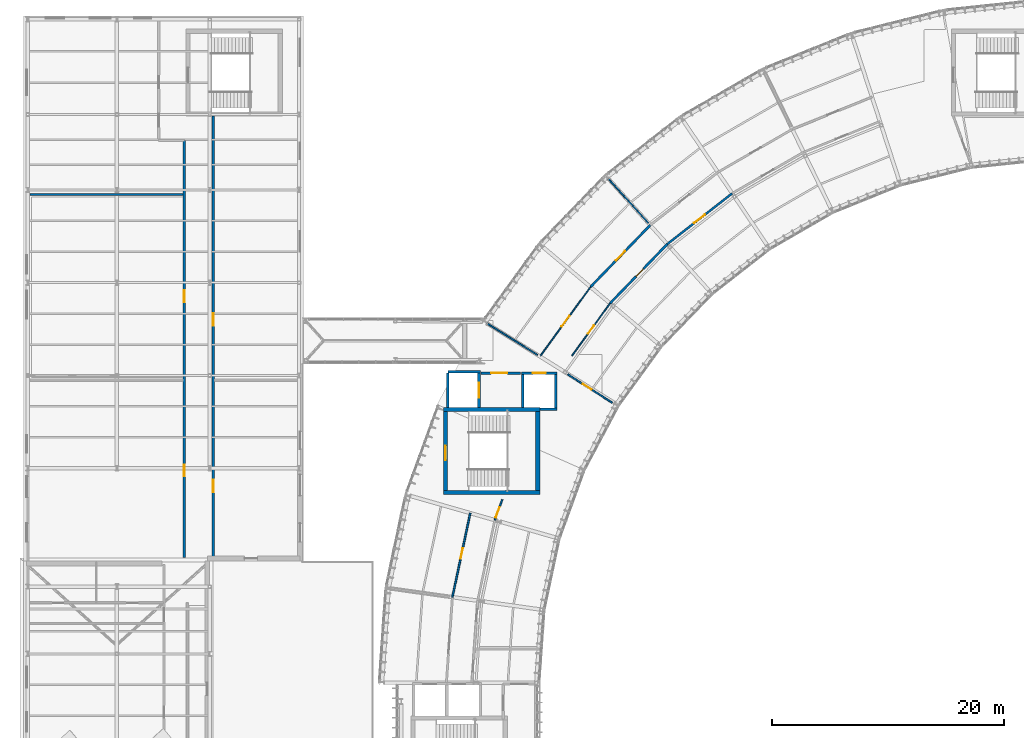
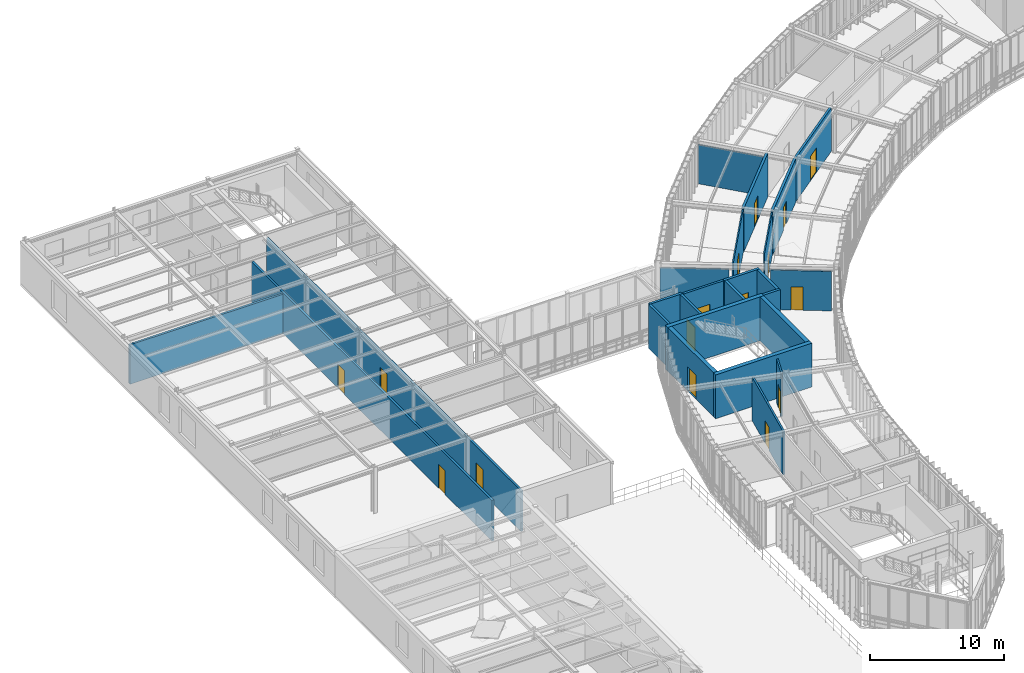
# One storey, part 40 of 52: 25 walls, 16 doors, 16 openings.
"""IFC4 building model written with IfcOpenShell, lengths in metres."""

from ifc_helpers import new_model, si_unit, direction, frame, frame_2d, origin, place, context, subcontext, project, spatial, rectangle, extrude, material, layer, layer_set, type_object, element, fill, save


model = new_model("IFC4")

# Units and contexts
model_context = context("Model", 3, precision=1e-05, world=origin(), true_north=direction((0.0, 1.0)))
body_context = subcontext(model_context, "Body", "Model", "MODEL_VIEW")
ifc_project = project(units=[si_unit("LENGTHUNIT", "METRE"), si_unit("AREAUNIT", "SQUARE_METRE"), si_unit("VOLUMEUNIT", "CUBIC_METRE"), si_unit("PLANEANGLEUNIT", "RADIAN"), si_unit("MASSUNIT", "GRAM", prefix="KILO"), si_unit("THERMODYNAMICTEMPERATUREUNIT", "KELVIN"), si_unit("POWERUNIT", "WATT")], contexts=[model_context])

# Site, building, storey
site_placement = place(None, origin())
site = spatial("IfcSite", under=ifc_project, at=site_placement, CompositionType="ELEMENT")
building_placement = place(site_placement, origin())
building = spatial("IfcBuilding", under=site, at=building_placement, Name="Solvatero Civic Police Headquarters", CompositionType="ELEMENT")
storey_placement = place(building_placement, frame((0.0, 0.0, 13.5)))
storey = spatial("IfcBuildingStorey", under=building, at=storey_placement, Name="L03", CompositionType="ELEMENT", Elevation=13.5)

# Wall, opening, door
ifc_material_1 = material(Name="Gypsum Acoustic Stud", Category="gypsum")
ifc_layer_1 = layer(ifc_material_1, 0.10009765625)
ifc_layer_set_1 = layer_set([ifc_layer_1], Name="Gypsum Acoustic Stud")
wall_type_1 = type_object("IfcWallType", Name="WL-PTN-100", PredefinedType="PARTITIONING", material=ifc_layer_set_1)
wall_1_placement = place(storey_placement, frame((55.00830078125, 58.718017578125, 0.0), z_axis=(0.0, 0.0, 1.0), x_axis=(-0.587773920785, -0.809025227076, 0.0)))
wall_1 = element("IfcWall", 1, at=wall_1_placement, inside=storey, type_object=wall_type_1, Name="Interior Partition WLP-L03-ARC-CIN-B08", PredefinedType="PARTITIONING", context=body_context, shape_type="SweptSolid", body=[
    extrude(rectangle(XDim=5.58447265625, YDim=0.10009765625, at=frame_2d((2.792236328125, 0.0))), origin(), (0.0, 0.0, 1.0), 3.97998046875),
])
opening_1_placement = place(wall_1_placement, frame((2.344970703125, 0.0, 0.0)))
opening_1 = element("IfcOpeningElement", 2, at=opening_1_placement, cuts=wall_1, Name="Opening ID-02", PredefinedType="OPENING", context=body_context, shape_type="SweptSolid", body=[
    extrude(rectangle(XDim=0.89990234375, YDim=2.10009765625, at=frame_2d((0.449951171875, 1.050048828125))), frame((0.0, 0.06005859375, 0.0), z_axis=(0.0, -1.0, 0.0), x_axis=(1.0, 0.0, 0.0)), (0.0, 0.0, 1.0), 0.1201171875),
])
ifc_material_2 = material(Name="Acoustic Oak Timber Veneer", Category="wood")
door_type_1 = type_object("IfcDoorType", Name="DR-OFF-090x210", OperationType="NOTDEFINED", PredefinedType="DOOR", material=ifc_material_2)
door_1_placement = place(opening_1_placement, origin())
door_1 = element("IfcDoor", 3, at=door_1_placement, inside=storey, type_object=door_type_1, Name="Interior Door DR-L03-ARC-IN-B08", OperationType="SINGLE_SWING_LEFT", OverallHeight=2.10009765625, OverallWidth=0.89990234375, PredefinedType="DOOR", context=body_context, shape_type="SweptSolid", body=[
    extrude(rectangle(XDim=0.89990234375, YDim=2.10009765625, at=frame_2d((0.449951171875, 1.050048828125))), frame((0.0, 0.02490234375, 0.0), z_axis=(0.0, -1.0, 0.0), x_axis=(1.0, 0.0, 0.0)), (0.0, 0.0, 1.0), 0.050048828125),
])
fill(opening_1, door_1)

wall_2_placement = place(storey_placement, frame((53.322998046875, 60.132080078125, 0.0), z_axis=(0.0, 0.0, 1.0), x_axis=(-0.587773694682, -0.809025391344, 0.0)))
wall_2 = element("IfcWall", 4, at=wall_2_placement, inside=storey, type_object=wall_type_1, Name="Interior Partition WLP-L03-ARC-COUT-B08", PredefinedType="PARTITIONING", context=body_context, shape_type="SweptSolid", body=[
    extrude(rectangle(XDim=7.33251953125, YDim=0.10009765625, at=frame_2d((3.666259765625, 0.0))), origin(), (0.0, 0.0, 1.0), 3.97998046875),
])
opening_2_placement = place(wall_2_placement, frame((3.080078125, 0.0, 0.0)))
opening_2 = element("IfcOpeningElement", 5, at=opening_2_placement, cuts=wall_2, Name="Opening ID-10", PredefinedType="OPENING", context=body_context, shape_type="SweptSolid", body=[
    extrude(rectangle(XDim=1.14990234375, YDim=2.199951171875, at=frame_2d((0.574951171875, 1.10009765625))), frame((0.0, 0.06005859375, 0.0), z_axis=(0.0, -1.0, 0.0), x_axis=(1.0, 0.0, 0.0)), (0.0, 0.0, 1.0), 0.1201171875),
])
ifc_material_3 = material(Name="Powder-Coated Steel", Category="steel")
door_type_2 = type_object("IfcDoorType", Name="DR-COR-115x220", OperationType="NOTDEFINED", PredefinedType="DOOR", material=ifc_material_3)
door_2_placement = place(opening_2_placement, origin())
door_2 = element("IfcDoor", 6, at=door_2_placement, inside=storey, type_object=door_type_2, Name="Interior Door DR-L03-ARC-OUT-B08", OperationType="SINGLE_SWING_RIGHT", OverallHeight=2.199951171875, OverallWidth=1.14990234375, PredefinedType="DOOR", context=body_context, shape_type="SweptSolid", body=[
    extrude(rectangle(XDim=1.14990234375, YDim=2.199951171875, at=frame_2d((0.574951171875, 1.10009765625))), frame((0.0, 0.02490234375, 0.0), z_axis=(0.0, -1.0, 0.0), x_axis=(1.0, 0.0, 0.0)), (0.0, 0.0, 1.0), 0.050048828125),
])
fill(opening_2, door_2)

# Walls
ifc_layer_2 = layer(ifc_material_1, 0.1201171875)
ifc_layer_set_2 = layer_set([ifc_layer_2], Name="Gypsum Acoustic Stud")
wall_type_2 = type_object("IfcWallType", Name="WL-PTN-120", PredefinedType="PARTITIONING", material=ifc_layer_set_2)
wall_3_placement = place(storey_placement, frame((58.302001953125, 65.646728515625, 0.0), z_axis=(0.0, 0.0, 1.0), x_axis=(-0.669114002905, 0.743159774959, 0.0)))
element("IfcWall", 7, at=wall_3_placement, inside=storey, type_object=wall_type_2, Name="Interior Partition WLP-L03-ARC-RAD-B06", PredefinedType="PARTITIONING", context=body_context, shape_type="SweptSolid", body=[
    extrude(rectangle(XDim=5.150146484375, YDim=0.1201171875, at=frame_2d((2.5751953125, 0.0))), origin(), (0.0, 0.0, 1.0), 3.550048828125),
])
wall_4_placement = place(storey_placement, frame((48.756591796875, 54.271240234375, 0.0), z_axis=(0.0, 0.0, 1.0), x_axis=(-0.848054228257, 0.529909450694, 0.0)))
element("IfcWall", 8, at=wall_4_placement, inside=storey, type_object=wall_type_2, Name="Interior Partition WLP-L03-ARC-RAD-B08", PredefinedType="PARTITIONING", context=body_context, shape_type="SweptSolid", body=[
    extrude(rectangle(XDim=5.14990234375, YDim=0.1201171875, at=frame_2d((2.574951171875, 0.0))), origin(), (0.0, 0.0, 1.0), 3.550048828125),
])

# Wall, opening, door
ifc_material_4 = material(Name="Gypsum Double-Stud", Category="gypsum")
ifc_layer_3 = layer(ifc_material_4, 0.135009765625)
ifc_layer_set_3 = layer_set([ifc_layer_3], Name="Gypsum Double-Stud")
wall_type_3 = type_object("IfcWallType", Name="WL-PTN-135", PredefinedType="PARTITIONING", material=ifc_layer_set_3)
wall_5_placement = place(storey_placement, frame((51.35009765625, 52.60009765625, 0.0), z_axis=(0.0, 0.0, 1.0), x_axis=(0.84363284859, -0.536920493909, 0.0)))
wall_5 = element("IfcWall", 9, at=wall_5_placement, inside=storey, type_object=wall_type_3, Name="Interior Partition WLP-L03-ARC-CIN-B09C", PredefinedType="PARTITIONING", context=body_context, shape_type="SweptSolid", body=[
    extrude(rectangle(XDim=4.5634765625, YDim=0.135009765625, at=frame_2d((2.28173828125, 0.0))), origin(), (0.0, 0.0, 1.0), 3.60009765625),
])
opening_3_placement = place(wall_5_placement, frame((1.550048828125, 0.0, 0.0)))
opening_3 = element("IfcOpeningElement", 10, at=opening_3_placement, cuts=wall_5, Name="Opening ID-02", PredefinedType="OPENING", context=body_context, shape_type="SweptSolid", body=[
    extrude(rectangle(XDim=0.89990234375, YDim=2.10009765625, at=frame_2d((0.449951171875, 1.050048828125))), frame((0.0, 0.077392578125, 0.0), z_axis=(0.0, -1.0, 0.0), x_axis=(1.0, 0.0, 0.0)), (0.0, 0.0, 1.0), 0.155029296875),
])
door_3_placement = place(opening_3_placement, origin())
door_3 = element("IfcDoor", 11, at=door_3_placement, inside=storey, type_object=door_type_1, Name="Interior Door DR-L03-ARC-IN-B09", OperationType="SINGLE_SWING_RIGHT", OverallHeight=2.10009765625, OverallWidth=0.89990234375, PredefinedType="DOOR", context=body_context, shape_type="SweptSolid", body=[
    extrude(rectangle(XDim=0.89990234375, YDim=2.10009765625, at=frame_2d((0.449951171875, 1.050048828125))), frame((0.0, 0.02490234375, 0.0), z_axis=(0.0, -1.0, 0.0), x_axis=(1.0, 0.0, 0.0)), (0.0, 0.0, 1.0), 0.050048828125),
])
fill(opening_3, door_3)

wall_6_placement = place(storey_placement, frame((45.716064453125, 41.800048828125, 0.0), z_axis=(0.0, 0.0, 1.0), x_axis=(-0.342003187451, -0.939698792046, 0.0)))
wall_6 = element("IfcWall", 12, at=wall_6_placement, inside=storey, type_object=wall_type_3, Name="Interior Partition WLP-L03-ARC-CIN-B10", PredefinedType="PARTITIONING", context=body_context, shape_type="SweptSolid", body=[
    extrude(rectangle(XDim=1.8837890625, YDim=0.135009765625, at=frame_2d((0.94189453125, 0.0))), origin(), (0.0, 0.0, 1.0), 3.97998046875),
])
opening_4_placement = place(wall_6_placement, frame((0.694091796875, 0.0, 0.0)))
opening_4 = element("IfcOpeningElement", 13, at=opening_4_placement, cuts=wall_6, Name="Opening ID-04", PredefinedType="OPENING", context=body_context, shape_type="SweptSolid", body=[
    extrude(rectangle(XDim=0.949951171875, YDim=2.14990234375, at=frame_2d((0.47509765625, 1.074951171875))), frame((0.0, 0.077392578125, 0.0), z_axis=(0.0, -1.0, 0.0), x_axis=(1.0, 0.0, 0.0)), (0.0, 0.0, 1.0), 0.155029296875),
])
door_type_3 = type_object("IfcDoorType", Name="DR-ACC-095x215", OperationType="NOTDEFINED", PredefinedType="DOOR", material=ifc_material_2)
door_4_placement = place(opening_4_placement, origin())
door_4 = element("IfcDoor", 14, at=door_4_placement, inside=storey, type_object=door_type_3, Name="Interior Door DR-L03-ARC-IN-B10", OperationType="SINGLE_SWING_LEFT", OverallHeight=2.14990234375, OverallWidth=0.949951171875, PredefinedType="DOOR", context=body_context, shape_type="SweptSolid", body=[
    extrude(rectangle(XDim=0.949951171875, YDim=2.14990234375, at=frame_2d((0.47509765625, 1.074951171875))), frame((0.0, 0.02490234375, 0.0), z_axis=(0.0, -1.0, 0.0), x_axis=(1.0, 0.0, 0.0)), (0.0, 0.0, 1.0), 0.050048828125),
])
fill(opening_4, door_4)

ifc_layer_4 = layer(ifc_material_1, 0.14990234375)
ifc_layer_set_4 = layer_set([ifc_layer_4], Name="Gypsum Acoustic Stud")
wall_type_4 = type_object("IfcWallType", Name="WL-PTN-150", PredefinedType="PARTITIONING", material=ifc_layer_set_4)
wall_7_placement = place(storey_placement, frame((42.95703125, 40.63623046875, 0.0), z_axis=(0.0, 0.0, 1.0), x_axis=(-0.207921820376, -0.978145447575, 0.0)))
wall_7 = element("IfcWall", 15, at=wall_7_placement, inside=storey, type_object=wall_type_4, Name="Interior Partition WLP-L03-ARC-COUT-B11", PredefinedType="PARTITIONING", context=body_context, shape_type="SweptSolid", body=[
    extrude(rectangle(XDim=7.407958984375, YDim=0.14990234375, at=frame_2d((3.7041015625, 0.0))), origin(), (0.0, 0.0, 1.0), 3.97998046875),
])
opening_5_placement = place(wall_7_placement, frame((3.111083984375, 0.0, 0.0)))
opening_5 = element("IfcOpeningElement", 16, at=opening_5_placement, cuts=wall_7, Name="Opening ID-02", PredefinedType="OPENING", context=body_context, shape_type="SweptSolid", body=[
    extrude(rectangle(XDim=0.89990234375, YDim=2.10009765625, at=frame_2d((0.449951171875, 1.050048828125))), frame((0.0, 0.0849609375, 0.0), z_axis=(0.0, -1.0, 0.0), x_axis=(1.0, 0.0, 0.0)), (0.0, 0.0, 1.0), 0.169921875),
])
door_5_placement = place(opening_5_placement, origin())
door_5 = element("IfcDoor", 17, at=door_5_placement, inside=storey, type_object=door_type_1, Name="Interior Door DR-L03-ARC-OUT-B11", OperationType="SINGLE_SWING_LEFT", OverallHeight=2.10009765625, OverallWidth=0.89990234375, PredefinedType="DOOR", context=body_context, shape_type="SweptSolid", body=[
    extrude(rectangle(XDim=0.89990234375, YDim=2.10009765625, at=frame_2d((0.449951171875, 1.050048828125))), frame((0.0, 0.02490234375, 0.0), z_axis=(0.0, -1.0, 0.0), x_axis=(1.0, 0.0, 0.0)), (0.0, 0.0, 1.0), 0.050048828125),
])
fill(opening_5, door_5)

# Wall, openings, doors
ifc_material_5 = material(Name="Concrete Blockwork", Category="masonry")
ifc_layer_5 = layer(ifc_material_5, 0.179931640625)
ifc_layer_set_5 = layer_set([ifc_layer_5], Name="Concrete Blockwork")
wall_type_5 = type_object("IfcWallType", Name="WL-PTN-180", PredefinedType="PARTITIONING", material=ifc_layer_set_5)
wall_8_placement = place(storey_placement, frame((18.300048828125, 36.800048828125, 0.0), z_axis=(0.0, 0.0, 1.0), x_axis=(0.0, 1.0, 0.0)))
wall_8 = element("IfcWall", 18, at=wall_8_placement, inside=storey, type_object=wall_type_5, Name="Interior Partition WLP-L03-V6-CW", PredefinedType="PARTITIONING", context=body_context, shape_type="SweptSolid", body=[
    extrude(rectangle(XDim=35.949951171875, YDim=0.179931640625, at=frame_2d((17.97509765625, 0.0))), origin(), (0.0, 0.0, 1.0), 3.718017578125),
])
opening_6_placement = place(wall_8_placement, frame((7.0, 0.0, 0.0)))
opening_6 = element("IfcOpeningElement", 19, at=opening_6_placement, cuts=wall_8, Name="Opening ID-06", PredefinedType="OPENING", context=body_context, shape_type="SweptSolid", body=[
    extrude(rectangle(XDim=1.02001953125, YDim=2.179931640625, at=frame_2d((0.510009765625, 1.08984375))), frame((0.0, 0.099853515625, 0.0), z_axis=(0.0, -1.0, 0.0), x_axis=(1.0, 0.0, 0.0)), (0.0, 0.0, 1.0), 0.199951171875),
])
opening_7_placement = place(wall_8_placement, frame((22.0, 0.0, 0.0)))
opening_7 = element("IfcOpeningElement", 20, at=opening_7_placement, cuts=wall_8, Name="Opening ID-07", PredefinedType="OPENING", context=body_context, shape_type="SweptSolid", body=[
    extrude(rectangle(XDim=1.050048828125, YDim=2.199951171875, at=frame_2d((0.52490234375, 1.10009765625))), frame((0.0, 0.099853515625, 0.0), z_axis=(0.0, -1.0, 0.0), x_axis=(1.0, 0.0, 0.0)), (0.0, 0.0, 1.0), 0.199951171875),
])
door_type_4 = type_object("IfcDoorType", Name="DR-LAB-102x218", OperationType="NOTDEFINED", PredefinedType="DOOR", material=ifc_material_3)
door_6_placement = place(opening_6_placement, origin())
door_6 = element("IfcDoor", 21, at=door_6_placement, inside=storey, type_object=door_type_4, Name="Interior Door DR-L03-V6-SW", OperationType="SINGLE_SWING_LEFT", OverallHeight=2.179931640625, OverallWidth=1.02001953125, PredefinedType="DOOR", context=body_context, shape_type="SweptSolid", body=[
    extrude(rectangle(XDim=1.02001953125, YDim=2.179931640625, at=frame_2d((0.510009765625, 1.08984375))), frame((0.0, 0.02490234375, 0.0), z_axis=(0.0, -1.0, 0.0), x_axis=(1.0, 0.0, 0.0)), (0.0, 0.0, 1.0), 0.050048828125),
])
fill(opening_6, door_6)
door_type_5 = type_object("IfcDoorType", Name="DR-LAB-105x220", OperationType="NOTDEFINED", PredefinedType="DOOR", material=ifc_material_3)
door_7_placement = place(opening_7_placement, origin())
door_7 = element("IfcDoor", 22, at=door_7_placement, inside=storey, type_object=door_type_5, Name="Interior Door DR-L03-V6-NW", OperationType="SINGLE_SWING_RIGHT", OverallHeight=2.199951171875, OverallWidth=1.050048828125, PredefinedType="DOOR", context=body_context, shape_type="SweptSolid", body=[
    extrude(rectangle(XDim=1.050048828125, YDim=2.199951171875, at=frame_2d((0.52490234375, 1.10009765625))), frame((0.0, 0.02490234375, 0.0), z_axis=(0.0, -1.0, 0.0), x_axis=(1.0, 0.0, 0.0)), (0.0, 0.0, 1.0), 0.050048828125),
])
fill(opening_7, door_7)

wall_9_placement = place(storey_placement, frame((20.800048828125, 36.800048828125, 0.0), z_axis=(0.0, 0.0, 1.0), x_axis=(0.0, 1.0, 0.0)))
wall_9 = element("IfcWall", 23, at=wall_9_placement, inside=storey, type_object=wall_type_5, Name="Interior Partition WLP-L03-V6-CE", PredefinedType="PARTITIONING", context=body_context, shape_type="SweptSolid", body=[
    extrude(rectangle(XDim=38.050048828125, YDim=0.179931640625, at=frame_2d((19.02490234375, 0.0))), origin(), (0.0, 0.0, 1.0), 3.718017578125),
])
opening_8_placement = place(wall_9_placement, frame((5.64990234375, 0.0, 0.0)))
opening_8 = element("IfcOpeningElement", 24, at=opening_8_placement, cuts=wall_9, Name="Opening ID-08", PredefinedType="OPENING", context=body_context, shape_type="SweptSolid", body=[
    extrude(rectangle(XDim=1.080078125, YDim=2.219970703125, at=frame_2d((0.5400390625, 1.10986328125))), frame((0.0, 0.099853515625, 0.0), z_axis=(0.0, -1.0, 0.0), x_axis=(1.0, 0.0, 0.0)), (0.0, 0.0, 1.0), 0.199951171875),
])
opening_9_placement = place(wall_9_placement, frame((20.0, 0.0, 0.0)))
opening_9 = element("IfcOpeningElement", 25, at=opening_9_placement, cuts=wall_9, Name="Opening ID-07", PredefinedType="OPENING", context=body_context, shape_type="SweptSolid", body=[
    extrude(rectangle(XDim=1.050048828125, YDim=2.199951171875, at=frame_2d((0.52490234375, 1.10009765625))), frame((0.0, 0.099853515625, 0.0), z_axis=(0.0, -1.0, 0.0), x_axis=(1.0, 0.0, 0.0)), (0.0, 0.0, 1.0), 0.199951171875),
])
door_8_placement = place(opening_9_placement, origin())
door_8 = element("IfcDoor", 26, at=door_8_placement, inside=storey, type_object=door_type_5, Name="Interior Door DR-L03-V6-NE", OperationType="SINGLE_SWING_LEFT", OverallHeight=2.199951171875, OverallWidth=1.050048828125, PredefinedType="DOOR", context=body_context, shape_type="SweptSolid", body=[
    extrude(rectangle(XDim=1.050048828125, YDim=2.199951171875, at=frame_2d((0.52490234375, 1.10009765625))), frame((0.0, 0.02490234375, 0.0), z_axis=(0.0, -1.0, 0.0), x_axis=(1.0, 0.0, 0.0)), (0.0, 0.0, 1.0), 0.050048828125),
])
fill(opening_9, door_8)
door_type_6 = type_object("IfcDoorType", Name="DR-LAB-108x222", OperationType="NOTDEFINED", PredefinedType="DOOR", material=ifc_material_3)
door_9_placement = place(opening_8_placement, origin())
door_9 = element("IfcDoor", 27, at=door_9_placement, inside=storey, type_object=door_type_6, Name="Interior Door DR-L03-V6-SE", OperationType="SINGLE_SWING_RIGHT", OverallHeight=2.219970703125, OverallWidth=1.080078125, PredefinedType="DOOR", context=body_context, shape_type="SweptSolid", body=[
    extrude(rectangle(XDim=1.080078125, YDim=2.219970703125, at=frame_2d((0.5400390625, 1.10986328125))), frame((0.0, 0.02490234375, 0.0), z_axis=(0.0, -1.0, 0.0), x_axis=(1.0, 0.0, 0.0)), (0.0, 0.0, 1.0), 0.050048828125),
])
fill(opening_8, door_9)

# Wall
wall_10_placement = place(storey_placement, frame((5.0, 68.10009765625, 0.0), z_axis=(0.0, 0.0, 1.0), x_axis=(1.0, 0.0, 0.0)))
element("IfcWall", 28, at=wall_10_placement, inside=storey, type_object=wall_type_5, Name="Interior Partition WLP-L03-V6-H3", PredefinedType="PARTITIONING", context=body_context, shape_type="SweptSolid", body=[
    extrude(rectangle(XDim=13.199951171875, YDim=0.179931640625, at=frame_2d((6.60009765625, 0.0))), origin(), (0.0, 0.0, 1.0), 3.597900390625),
])

# Wall, opening, door
wall_11_placement = place(storey_placement, frame((65.537109375, 68.197998046875, 0.0), z_axis=(0.0, 0.0, 1.0), x_axis=(-0.788011863809, -0.615660054329, 0.0)))
wall_11 = element("IfcWall", 29, at=wall_11_placement, inside=storey, type_object=wall_type_5, Name="Interior Partition WLP-L03-ARC-CIN-B06", PredefinedType="PARTITIONING", context=body_context, shape_type="SweptSolid", body=[
    extrude(rectangle(XDim=7.10107421875, YDim=0.179931640625, at=frame_2d((3.550537109375, 0.0))), origin(), (0.0, 0.0, 1.0), 3.97998046875),
])
opening_10_placement = place(wall_11_placement, frame((2.98193359375, 0.0, 0.0)))
opening_10 = element("IfcOpeningElement", 30, at=opening_10_placement, cuts=wall_11, Name="Opening ID-11", PredefinedType="OPENING", context=body_context, shape_type="SweptSolid", body=[
    extrude(rectangle(XDim=1.179931640625, YDim=2.239990234375, at=frame_2d((0.58984375, 1.1201171875))), frame((0.0, 0.099853515625, 0.0), z_axis=(0.0, -1.0, 0.0), x_axis=(1.0, 0.0, 0.0)), (0.0, 0.0, 1.0), 0.199951171875),
])
door_type_7 = type_object("IfcDoorType", Name="DR-COR-118x224", OperationType="NOTDEFINED", PredefinedType="DOOR", material=ifc_material_3)
door_10_placement = place(opening_10_placement, origin())
door_10 = element("IfcDoor", 31, at=door_10_placement, inside=storey, type_object=door_type_7, Name="Interior Door DR-L03-ARC-IN-B06", OperationType="SINGLE_SWING_LEFT", OverallHeight=2.239990234375, OverallWidth=1.179931640625, PredefinedType="DOOR", context=body_context, shape_type="SweptSolid", body=[
    extrude(rectangle(XDim=1.179931640625, YDim=2.239990234375, at=frame_2d((0.58984375, 1.1201171875))), frame((0.0, 0.02490234375, 0.0), z_axis=(0.0, -1.0, 0.0), x_axis=(1.0, 0.0, 0.0)), (0.0, 0.0, 1.0), 0.050048828125),
])
fill(opening_10, door_10)

ifc_layer_6 = layer(ifc_material_5, 0.199951171875)
ifc_layer_set_6 = layer_set([ifc_layer_6], Name="Concrete Blockwork")
wall_type_6 = type_object("IfcWallType", Name="WL-PTN-200", PredefinedType="PARTITIONING", material=ifc_layer_set_6)
wall_12_placement = place(storey_placement, frame((43.89990234375, 52.699951171875, 0.0), z_axis=(0.0, 0.0, 1.0), x_axis=(1.0, 0.0, 0.0)))
wall_12 = element("IfcWall", 32, at=wall_12_placement, inside=storey, type_object=wall_type_6, Name="Interior Partition WLP-FFL-C2-L03-N", PredefinedType="PARTITIONING", context=body_context, shape_type="SweptSolid", body=[
    extrude(rectangle(XDim=3.400146484375, YDim=0.199951171875, at=frame_2d((1.7001953125, 0.0))), origin(), (0.0, 0.0, 1.0), 3.97998046875),
])
opening_11_placement = place(wall_12_placement, frame((0.85009765625, 0.0, 0.0)))
opening_11 = element("IfcOpeningElement", 33, at=opening_11_placement, cuts=wall_12, Name="Opening FD-02", PredefinedType="OPENING", context=body_context, shape_type="SweptSolid", body=[
    extrude(rectangle(XDim=1.39990234375, YDim=2.25, at=frame_2d((0.699951171875, 1.125))), frame((0.0, 0.10986328125, 0.0), z_axis=(0.0, -1.0, 0.0), x_axis=(1.0, 0.0, 0.0)), (0.0, 0.0, 1.0), 0.219970703125),
])
door_type_8 = type_object("IfcDoorType", Name="DR-LOB-140x225", OperationType="NOTDEFINED", PredefinedType="DOOR", material=ifc_material_3)
door_11_placement = place(opening_11_placement, origin())
door_11 = element("IfcDoor", 34, at=door_11_placement, inside=storey, type_object=door_type_8, Name="Interior Door DR-FFL-C2-L03-ACC", OperationType="DOUBLE_DOOR_SINGLE_SWING", OverallHeight=2.25, OverallWidth=1.39990234375, PredefinedType="DOOR", context=body_context, shape_type="SweptSolid", body=[
    extrude(rectangle(XDim=1.39990234375, YDim=2.25, at=frame_2d((0.699951171875, 1.125))), frame((0.0, 0.02490234375, 0.0), z_axis=(0.0, -1.0, 0.0), x_axis=(1.0, 0.0, 0.0)), (0.0, 0.0, 1.0), 0.050048828125),
])
fill(opening_11, door_11)

wall_13_placement = place(storey_placement, frame((59.94140625, 63.826171875, 0.0), z_axis=(0.0, 0.0, 1.0), x_axis=(-0.694674270111, -0.719324445884, 0.0)))
wall_13 = element("IfcWall", 35, at=wall_13_placement, inside=storey, type_object=wall_type_6, Name="Interior Partition WLP-L03-ARC-CIN-B07", PredefinedType="PARTITIONING", context=body_context, shape_type="SweptSolid", body=[
    extrude(rectangle(XDim=7.101318359375, YDim=0.199951171875, at=frame_2d((3.55078125, 0.0))), origin(), (0.0, 0.0, 1.0), 3.97998046875),
])
opening_12_placement = place(wall_13_placement, frame((2.98291015625, 0.0, 0.0)))
opening_12 = element("IfcOpeningElement", 36, at=opening_12_placement, cuts=wall_13, Name="Opening ID-01", PredefinedType="OPENING", context=body_context, shape_type="SweptSolid", body=[
    extrude(rectangle(XDim=0.8798828125, YDim=2.10009765625, at=frame_2d((0.43994140625, 1.050048828125))), frame((0.0, 0.10986328125, 0.0), z_axis=(0.0, -1.0, 0.0), x_axis=(1.0, 0.0, 0.0)), (0.0, 0.0, 1.0), 0.219970703125),
])
door_type_9 = type_object("IfcDoorType", Name="DR-OFF-088x210", OperationType="NOTDEFINED", PredefinedType="DOOR", material=ifc_material_2)
door_12_placement = place(opening_12_placement, origin())
door_12 = element("IfcDoor", 37, at=door_12_placement, inside=storey, type_object=door_type_9, Name="Interior Door DR-L03-ARC-IN-B07", OperationType="SINGLE_SWING_LEFT", OverallHeight=2.10009765625, OverallWidth=0.8798828125, PredefinedType="DOOR", context=body_context, shape_type="SweptSolid", body=[
    extrude(rectangle(XDim=0.8798828125, YDim=2.10009765625, at=frame_2d((0.43994140625, 1.050048828125))), frame((0.0, 0.02490234375, 0.0), z_axis=(0.0, -1.0, 0.0), x_axis=(1.0, 0.0, 0.0)), (0.0, 0.0, 1.0), 0.050048828125),
])
fill(opening_12, door_12)

wall_14_placement = place(storey_placement, frame((58.46923828125, 65.4609375, 0.0), z_axis=(0.0, 0.0, 1.0), x_axis=(-0.694673907436, -0.71932479613, 0.0)))
wall_14 = element("IfcWall", 38, at=wall_14_placement, inside=storey, type_object=wall_type_6, Name="Interior Partition WLP-L03-ARC-COUT-B07", PredefinedType="PARTITIONING", context=body_context, shape_type="SweptSolid", body=[
    extrude(rectangle(XDim=7.408203125, YDim=0.199951171875, at=frame_2d((3.7041015625, 0.0))), origin(), (0.0, 0.0, 1.0), 3.97998046875),
])
opening_13_placement = place(wall_14_placement, frame((3.111083984375, 0.0, 0.0)))
opening_13 = element("IfcOpeningElement", 39, at=opening_13_placement, cuts=wall_14, Name="Opening ID-09", PredefinedType="OPENING", context=body_context, shape_type="SweptSolid", body=[
    extrude(rectangle(XDim=1.1201171875, YDim=2.199951171875, at=frame_2d((0.56005859375, 1.10009765625))), frame((0.0, 0.10986328125, 0.0), z_axis=(0.0, -1.0, 0.0), x_axis=(1.0, 0.0, 0.0)), (0.0, 0.0, 1.0), 0.219970703125),
])
door_type_10 = type_object("IfcDoorType", Name="DR-PLT-112x220", OperationType="NOTDEFINED", PredefinedType="DOOR", material=ifc_material_3)
door_13_placement = place(opening_13_placement, origin())
door_13 = element("IfcDoor", 40, at=door_13_placement, inside=storey, type_object=door_type_10, Name="Interior Door DR-L03-ARC-OUT-B07", OperationType="SINGLE_SWING_RIGHT", OverallHeight=2.199951171875, OverallWidth=1.1201171875, PredefinedType="DOOR", context=body_context, shape_type="SweptSolid", body=[
    extrude(rectangle(XDim=1.1201171875, YDim=2.199951171875, at=frame_2d((0.56005859375, 1.10009765625))), frame((0.0, 0.02490234375, 0.0), z_axis=(0.0, -1.0, 0.0), x_axis=(1.0, 0.0, 0.0)), (0.0, 0.0, 1.0), 0.050048828125),
])
fill(opening_13, door_13)

# Walls
ifc_material_6 = material(Name="Concrete C35/45", Category="concrete")
ifc_layer_7 = layer(ifc_material_6, 0.219970703125)
ifc_layer_set_7 = layer_set([ifc_layer_7], Name="Concrete C35/45")
wall_type_7 = type_object("IfcWallType", Name="WL-SHF-220", PredefinedType="PARTITIONING", material=ifc_layer_set_7)
wall_15_placement = place(storey_placement, frame((41.02001953125, 52.81005859375, 0.0), z_axis=(0.0, 0.0, 1.0), x_axis=(1.0, 0.0, 0.0)))
element("IfcWall", 41, at=wall_15_placement, inside=storey, type_object=wall_type_7, Name="Lift Shaft Wall WLS-FL-02-L03-N", PredefinedType="PARTITIONING", context=body_context, shape_type="SweptSolid", body=[
    extrude(rectangle(XDim=2.800048828125, YDim=0.219970703125, at=frame_2d((1.39990234375, 0.0))), origin(), (0.0, 0.0, 1.0), 3.97998046875),
])
wall_16_placement = place(storey_placement, frame((41.02001953125, 49.760009765625, 0.0), z_axis=(0.0, 0.0, 1.0), x_axis=(0.0, 1.0, 0.0)))
element("IfcWall", 42, at=wall_16_placement, inside=storey, type_object=wall_type_7, Name="Lift Shaft Wall WLS-FL-02-L03-W", PredefinedType="PARTITIONING", context=body_context, shape_type="SweptSolid", body=[
    extrude(rectangle(XDim=2.93994140625, YDim=0.219970703125, at=frame_2d((1.469970703125, 0.0))), origin(), (0.0, 0.0, 1.0), 3.97998046875),
])

# Wall, opening, door
wall_17_placement = place(storey_placement, frame((43.7099609375, 49.760009765625, 0.0), z_axis=(0.0, 0.0, 1.0), x_axis=(0.0, 1.0, 0.0)))
wall_17 = element("IfcWall", 43, at=wall_17_placement, inside=storey, type_object=wall_type_7, Name="Lift Shaft Wall WLS-FL-02-L03-E", PredefinedType="PARTITIONING", context=body_context, shape_type="SweptSolid", body=[
    extrude(rectangle(XDim=2.93994140625, YDim=0.219970703125, at=frame_2d((1.469970703125, 0.0))), origin(), (0.0, 0.0, 1.0), 3.97998046875),
])
opening_14_placement = place(wall_17_placement, frame((0.820068359375, 0.0, 0.0)))
opening_14 = element("IfcOpeningElement", 44, at=opening_14_placement, cuts=wall_17, Name="Opening LD-02", PredefinedType="OPENING", context=body_context, shape_type="SweptSolid", body=[
    extrude(rectangle(XDim=1.300048828125, YDim=2.199951171875, at=frame_2d((0.64990234375, 1.10009765625))), frame((0.0, 0.119873046875, 0.0), z_axis=(0.0, -1.0, 0.0), x_axis=(1.0, 0.0, 0.0)), (0.0, 0.0, 1.0), 0.239990234375),
])
ifc_material_7 = material(Name="Stainless Steel Grade 316", Category="steel")
door_type_11 = type_object("IfcDoorType", Name="DR-LFT-130x220", OperationType="DOUBLE_DOOR_SLIDING", PredefinedType="DOOR", material=ifc_material_7)
door_14_placement = place(opening_14_placement, origin())
door_14 = element("IfcDoor", 45, at=door_14_placement, inside=storey, type_object=door_type_11, Name="Interior Door DR-LFT-FL-02-L03", OperationType="DOUBLE_DOOR_SLIDING", OverallHeight=2.199951171875, OverallWidth=1.300048828125, PredefinedType="DOOR", context=body_context, shape_type="SweptSolid", body=[
    extrude(rectangle(XDim=1.300048828125, YDim=2.199951171875, at=frame_2d((0.64990234375, 1.10009765625))), frame((0.0, 0.02490234375, 0.0), z_axis=(0.0, -1.0, 0.0), x_axis=(1.0, 0.0, 0.0)), (0.0, 0.0, 1.0), 0.050048828125),
])
fill(opening_14, door_14)

# Wall
wall_18_placement = place(storey_placement, frame((48.9599609375, 49.590087890625, 0.0), z_axis=(0.0, 0.0, 1.0), x_axis=(1.0, 0.0, 0.0)))
element("IfcWall", 46, at=wall_18_placement, inside=storey, type_object=wall_type_7, Name="Lift Shaft Wall WLS-LP-03-L03-S", PredefinedType="PARTITIONING", context=body_context, shape_type="SweptSolid", body=[
    extrude(rectangle(XDim=1.4599609375, YDim=0.219970703125, at=frame_2d((0.72998046875, 0.0))), origin(), (0.0, 0.0, 1.0), 3.97998046875),
])

# Wall, opening, door
wall_19_placement = place(storey_placement, frame((47.3798828125, 52.7099609375, 0.0), z_axis=(0.0, 0.0, 1.0), x_axis=(1.0, 0.0, 0.0)))
wall_19 = element("IfcWall", 47, at=wall_19_placement, inside=storey, type_object=wall_type_7, Name="Lift Shaft Wall WLS-LP-03-L03-N", PredefinedType="PARTITIONING", context=body_context, shape_type="SweptSolid", body=[
    extrude(rectangle(XDim=3.0400390625, YDim=0.219970703125, at=frame_2d((1.52001953125, 0.0))), origin(), (0.0, 0.0, 1.0), 3.97998046875),
])
opening_15_placement = place(wall_19_placement, frame((0.969970703125, 0.0, 0.0)))
opening_15 = element("IfcOpeningElement", 48, at=opening_15_placement, cuts=wall_19, Name="Opening LD-01", PredefinedType="OPENING", context=body_context, shape_type="SweptSolid", body=[
    extrude(rectangle(XDim=1.10009765625, YDim=2.14990234375, at=frame_2d((0.550048828125, 1.074951171875))), frame((0.0, 0.119873046875, 0.0), z_axis=(0.0, -1.0, 0.0), x_axis=(1.0, 0.0, 0.0)), (0.0, 0.0, 1.0), 0.239990234375),
])
door_type_12 = type_object("IfcDoorType", Name="DR-LFT-110x215", OperationType="DOUBLE_DOOR_SLIDING", PredefinedType="DOOR", material=ifc_material_7)
door_15_placement = place(opening_15_placement, origin())
door_15 = element("IfcDoor", 49, at=door_15_placement, inside=storey, type_object=door_type_12, Name="Interior Door DR-LFT-LP-03-L03", OperationType="DOUBLE_DOOR_SLIDING", OverallHeight=2.14990234375, OverallWidth=1.10009765625, PredefinedType="DOOR", context=body_context, shape_type="SweptSolid", body=[
    extrude(rectangle(XDim=1.10009765625, YDim=2.14990234375, at=frame_2d((0.550048828125, 1.074951171875))), frame((0.0, 0.02490234375, 0.0), z_axis=(0.0, -1.0, 0.0), x_axis=(1.0, 0.0, 0.0)), (0.0, 0.0, 1.0), 0.050048828125),
])
fill(opening_15, door_15)

# Walls
wall_20_placement = place(storey_placement, frame((47.489990234375, 49.760009765625, 0.0), z_axis=(0.0, 0.0, 1.0), x_axis=(0.0, 1.0, 0.0)))
element("IfcWall", 50, at=wall_20_placement, inside=storey, type_object=wall_type_7, Name="Lift Shaft Wall WLS-LP-03-L03-W", PredefinedType="PARTITIONING", context=body_context, shape_type="SweptSolid", body=[
    extrude(rectangle(XDim=2.840087890625, YDim=0.219970703125, at=frame_2d((1.419921875, 0.0))), origin(), (0.0, 0.0, 1.0), 3.97998046875),
])
wall_21_placement = place(storey_placement, frame((50.31005859375, 49.699951171875, 0.0), z_axis=(0.0, 0.0, 1.0), x_axis=(0.0, 1.0, 0.0)))
element("IfcWall", 51, at=wall_21_placement, inside=storey, type_object=wall_type_7, Name="Lift Shaft Wall WLS-LP-03-L03-E", PredefinedType="PARTITIONING", context=body_context, shape_type="SweptSolid", body=[
    extrude(rectangle(XDim=2.900146484375, YDim=0.219970703125, at=frame_2d((1.4501953125, 0.0))), origin(), (0.0, 0.0, 1.0), 3.97998046875),
])
ifc_material_8 = material(Name="Concrete C40/50", Category="concrete")
ifc_layer_8 = layer(ifc_material_8, 0.35009765625)
ifc_layer_set_8 = layer_set([ifc_layer_8], Name="Concrete C40/50")
wall_type_8 = type_object("IfcWallType", Name="WL-SHR-350", PredefinedType="SHEAR", material=ifc_layer_set_8)
for number, where, z_axis, x_axis, name in (
    (52, (40.64990234375, 42.425048828125, 0.0), (0.0, 0.0, 1.0), (1.0, 0.0, 0.0), "Core C2 Shear Wall S L03"),
    (53, (40.64990234375, 49.574951171875, 0.0), (0.0, 0.0, 1.0), (1.0, 0.0, 0.0), "Core C2 Shear Wall N L03"),
):
    element("IfcWall", number, at=place(storey_placement, frame(where, z_axis=z_axis, x_axis=x_axis)), inside=storey, type_object=wall_type_8, Name=name, PredefinedType="SHEAR", context=body_context, shape_type="SweptSolid", body=[
        extrude(rectangle(XDim=8.300048828125, YDim=0.35009765625, at=frame_2d((4.14990234375, 0.0))), origin(), (0.0, 0.0, 1.0), 4.0),
    ])

# Wall, opening, door
wall_22_placement = place(storey_placement, frame((40.824951171875, 42.60009765625, 0.0), z_axis=(0.0, 0.0, 1.0), x_axis=(0.0, 1.0, 0.0)))
wall_22 = element("IfcWall", 54, at=wall_22_placement, inside=storey, type_object=wall_type_8, Name="Core C2 Shear Wall W L03", PredefinedType="SHEAR", context=body_context, shape_type="SweptSolid", body=[
    extrude(rectangle(XDim=6.7998046875, YDim=0.35009765625, at=frame_2d((3.39990234375, 0.0))), origin(), (0.0, 0.0, 1.0), 4.0),
])
opening_16_placement = place(wall_22_placement, frame((2.60009765625, 0.0, 0.0)))
opening_16 = element("IfcOpeningElement", 55, at=opening_16_placement, cuts=wall_22, Name="Opening FD-01", PredefinedType="OPENING", context=body_context, shape_type="SweptSolid", body=[
    extrude(rectangle(XDim=1.25, YDim=2.199951171875, at=frame_2d((0.625, 1.10009765625))), frame((0.0, 0.18505859375, 0.0), z_axis=(0.0, -1.0, 0.0), x_axis=(1.0, 0.0, 0.0)), (0.0, 0.0, 1.0), 0.3701171875),
])
door_type_13 = type_object("IfcDoorType", Name="DR-STR-125x220", OperationType="NOTDEFINED", PredefinedType="DOOR", material=ifc_material_3)
door_16_placement = place(opening_16_placement, origin())
door_16 = element("IfcDoor", 56, at=door_16_placement, inside=storey, type_object=door_type_13, Name="Interior Door DR-STR-C2-L03", OperationType="SINGLE_SWING_LEFT", OverallHeight=2.199951171875, OverallWidth=1.25, PredefinedType="DOOR", context=body_context, shape_type="SweptSolid", body=[
    extrude(rectangle(XDim=1.25, YDim=2.199951171875, at=frame_2d((0.625, 1.10009765625))), frame((0.0, 0.02490234375, 0.0), z_axis=(0.0, -1.0, 0.0), x_axis=(1.0, 0.0, 0.0)), (0.0, 0.0, 1.0), 0.050048828125),
])
fill(opening_16, door_16)

# Wall
wall_23_placement = place(storey_placement, frame((48.77490234375, 42.60009765625, 0.0), z_axis=(0.0, 0.0, 1.0), x_axis=(0.0, 1.0, 0.0)))
element("IfcWall", 57, at=wall_23_placement, inside=storey, type_object=wall_type_8, Name="Core C2 Shear Wall E L03", PredefinedType="SHEAR", context=body_context, shape_type="SweptSolid", body=[
    extrude(rectangle(XDim=6.7998046875, YDim=0.35009765625, at=frame_2d((3.39990234375, 0.0))), origin(), (0.0, 0.0, 1.0), 4.0),
])

save(model, "model.ifc")
